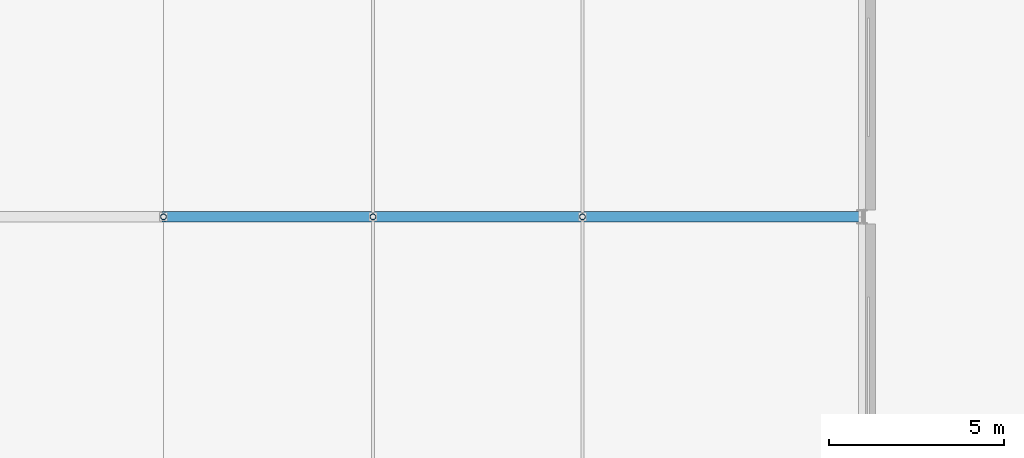
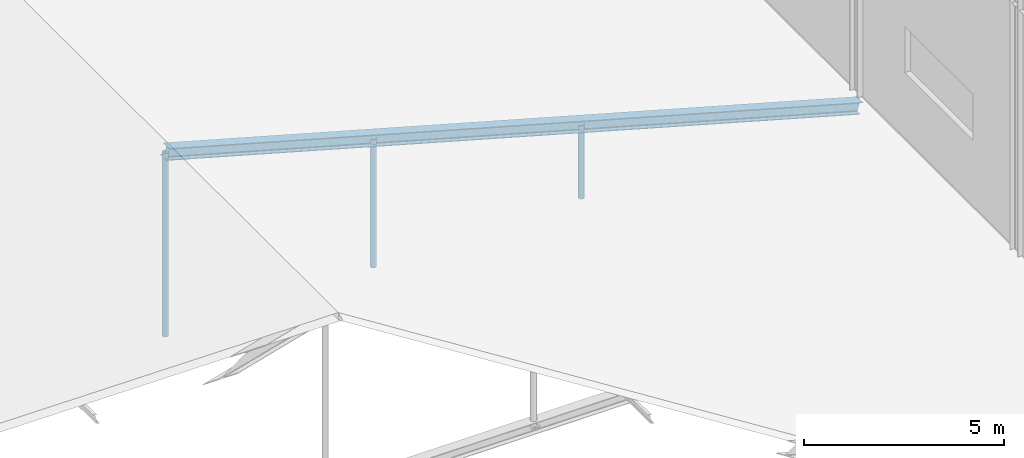
# One storey, part 30 of 49: 4 members.
"""IFC4 building model written with IfcOpenShell, lengths in metres."""

from ifc_helpers import new_model, si_unit, direction, frame, origin, origin_2d, place, context, subcontext, project, spatial, hollow_circle, i_section, extrude, material, material_profile, profile_set, type_object, element, save


model = new_model("IFC4")

# Units and contexts
model_context = context("Model", 3, precision=1e-05, world=origin(), true_north=direction((0.0, 1.0)))
body_context = subcontext(model_context, "Body", "Model", "MODEL_VIEW")
ifc_project = project(units=[si_unit("LENGTHUNIT", "METRE"), si_unit("AREAUNIT", "SQUARE_METRE"), si_unit("VOLUMEUNIT", "CUBIC_METRE"), si_unit("PLANEANGLEUNIT", "RADIAN"), si_unit("MASSUNIT", "GRAM", prefix="KILO")], contexts=[model_context])

# Site, building, storey
site_placement = place(None, origin())
site = spatial("IfcSite", under=ifc_project, at=site_placement, CompositionType="ELEMENT")
building_placement = place(site_placement, origin())
building = spatial("IfcBuilding", under=site, at=building_placement, Name="Sundkrona Museum", CompositionType="ELEMENT")
storey_placement = place(building_placement, frame((0.0, 0.0, 26.0)))
storey = spatial("IfcBuildingStorey", under=building, at=storey_placement, Name="L05", CompositionType="ELEMENT", Elevation=26.0)

# Members
ifc_material = material(Name="Steel S355J2", Category="steel")
ifc_material_profile_1 = material_profile(ifc_material, hollow_circle(Radius=0.084228515625, WallThickness=0.008056640625, at=origin_2d()), Name="CHS 168.3x8.0")
ifc_profile_set_1 = profile_set([ifc_material_profile_1], Name="Steel S355J2")
member_type_1 = type_object("IfcMemberType", Name="ST-CHS168", PredefinedType="STRUT", material=ifc_profile_set_1)
member_1_placement = place(storey_placement, frame((100.0, 32.0, -0.39990234375), z_axis=(0.0, 0.0, 1.0), x_axis=(1.0, 0.0, 0.0)))
element("IfcMember", 1, at=member_1_placement, inside=storey, type_object=member_type_1, Name="RFS-1 Atrium Truss 5 Web Strut 100", PredefinedType="STRUT", context=body_context, shape_type="SweptSolid", body=[
    extrude(hollow_circle(Radius=0.084228515625, WallThickness=0.008056640625, at=origin_2d()), origin(), (0.0, 0.0, 1.0), 5.593994140625),
])
member_2_placement = place(storey_placement, frame((106.0, 32.0, -0.39990234375), z_axis=(0.0, 0.0, 1.0), x_axis=(1.0, 0.0, 0.0)))
element("IfcMember", 2, at=member_2_placement, inside=storey, type_object=member_type_1, Name="RFS-1 Atrium Truss 5 Web Strut 106", PredefinedType="STRUT", context=body_context, shape_type="SweptSolid", body=[
    extrude(hollow_circle(Radius=0.084228515625, WallThickness=0.008056640625, at=origin_2d()), origin(), (0.0, 0.0, 1.0), 3.915771484375),
])
member_3_placement = place(storey_placement, frame((112.0, 32.0, -0.39990234375), z_axis=(0.0, 0.0, 1.0), x_axis=(1.0, 0.0, 0.0)))
element("IfcMember", 3, at=member_3_placement, inside=storey, type_object=member_type_1, Name="RFS-1 Atrium Truss 5 Web Strut 112", PredefinedType="STRUT", context=body_context, shape_type="SweptSolid", body=[
    extrude(hollow_circle(Radius=0.084228515625, WallThickness=0.008056640625, at=origin_2d()), origin(), (0.0, 0.0, 1.0), 2.237548828125),
])
ifc_material_profile_2 = material_profile(ifc_material, i_section(OverallWidth=0.300048828125, OverallDepth=0.35009765625, WebThickness=0.010009765625, FlangeThickness=0.017578125, FilletRadius=0.027099609375, at=origin_2d()), Name="HEA 360")
ifc_profile_set_2 = profile_set([ifc_material_profile_2], Name="Steel S355J2")
member_type_2 = type_object("IfcMemberType", Name="TC-HEA360", PredefinedType="CHORD", material=ifc_profile_set_2)
member_4_placement = place(storey_placement, frame((100.0, 32.0, 5.194091796875), z_axis=(0.963039069801, 0.0, -0.269361745683), x_axis=(0.0, 1.0, 0.0)))
element("IfcMember", 4, at=member_4_placement, inside=storey, type_object=member_type_2, Name="RFS-1 Atrium Truss 5 East Rafter Chord", PredefinedType="CHORD", context=body_context, shape_type="SweptSolid", body=[
    extrude(i_section(OverallWidth=0.300048828125, OverallDepth=0.35009765625, WebThickness=0.010009765625, FlangeThickness=0.017578125, FilletRadius=0.027099609375, at=origin_2d()), origin(), (0.0, 0.0, 1.0), 20.767578125),
])

save(model, "model.ifc")
